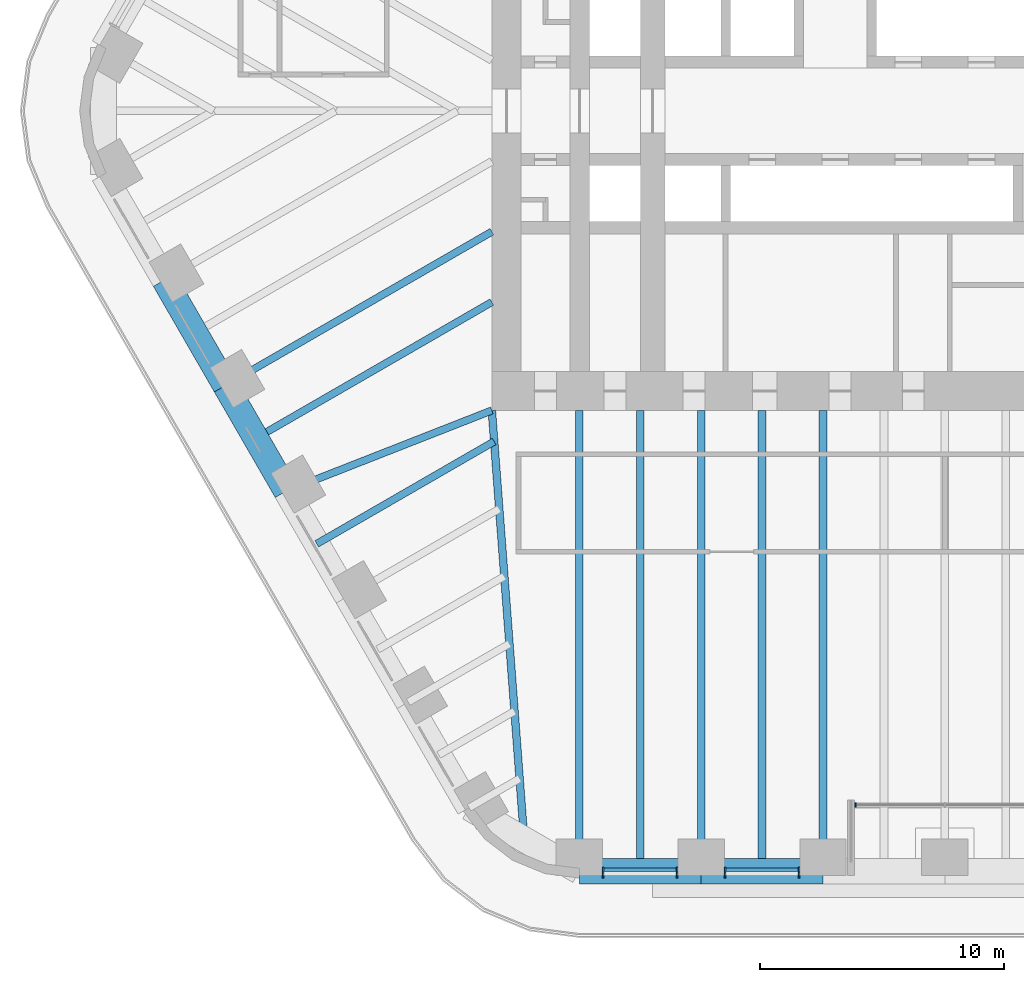
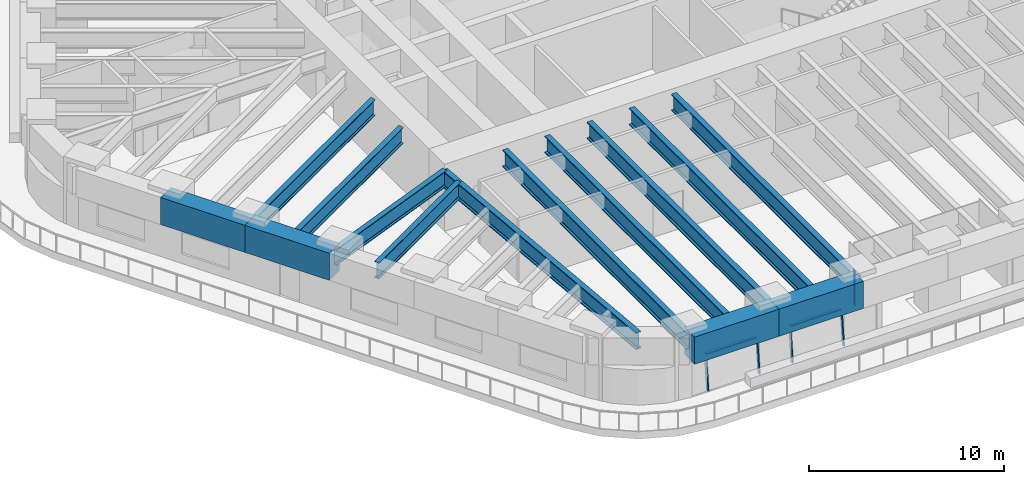
# One storey, part 2 of 19: 14 beams, 7 members, 3 elements without a shape of their own.
"""IFC4 building model written with IfcOpenShell, lengths in metres."""

from ifc_helpers import new_model, si_unit, direction, frame, origin, origin_2d, place, context, subcontext, project, spatial, rectangle, i_section, extrude, material, material_profile, profile_set, type_object, element, aggregate, save


model = new_model("IFC4")

# Units and contexts
model_context = context("Model", 3, precision=1e-05, world=origin(), true_north=direction((0.0, 1.0)))
body_context = subcontext(model_context, "Body", "Model", "MODEL_VIEW")
ifc_project = project(units=[si_unit("LENGTHUNIT", "METRE"), si_unit("AREAUNIT", "SQUARE_METRE"), si_unit("VOLUMEUNIT", "CUBIC_METRE"), si_unit("PLANEANGLEUNIT", "RADIAN"), si_unit("MASSUNIT", "GRAM", prefix="KILO")], contexts=[model_context])

# Site, building, storey
site_placement = place(None, origin())
site = spatial("IfcSite", under=ifc_project, at=site_placement, CompositionType="ELEMENT")
building_placement = place(site_placement, origin())
building = spatial("IfcBuilding", under=site, at=building_placement, Name="Tarfa Lantern Tower", CompositionType="ELEMENT")
storey_placement = place(building_placement, frame((0.0, 0.0, 199.300048828125)))
storey = spatial("IfcBuildingStorey", under=building, at=storey_placement, Name="L45", CompositionType="ELEMENT", Elevation=199.300048828125)

# Curtain wall, members
ifc_material_1 = material(Name="Aluminium framed curtain wall", Category="aluminium")
curtain_wall_type_1 = type_object("IfcCurtainWallType", Name="CW2 CANTED GLAZING MID ZONE 2200", PredefinedType="USERDEFINED", material=ifc_material_1)
curtain_wall_1_placement = place(storey_placement, origin())
curtain_wall_1 = element("IfcCurtainWall", 1, at=curtain_wall_1_placement, inside=storey, type_object=curtain_wall_type_1, Name="CW2 S L45", ObjectType="CURTAIN WALL", PredefinedType="USERDEFINED")
ifc_material_2 = material(Name="Aluminium mullion", Category="aluminium")
ifc_material_profile_1 = material_profile(ifc_material_2, rectangle(XDim=0.06494140625, YDim=0.199951171875, at=origin_2d()), Name="AL MULLION 65x200")
ifc_profile_set_1 = profile_set([ifc_material_profile_1], Name="Aluminium mullion")
member_type_1 = type_object("IfcMemberType", Name="CWM1 MULLION 65x200", PredefinedType="MULLION", material=ifc_profile_set_1)
member_1_placement = place(storey_placement, frame((-14.028564453125, -31.39990234375, 0.0), z_axis=(0.0, 0.112912162136, 0.99360497364), x_axis=(-1.0, 0.0, 0.0)))
member_1 = element("IfcMember", 2, at=member_1_placement, type_object=member_type_1, Name="CW2 mullion 1", PredefinedType="MULLION", context=body_context, shape_type="SweptSolid", body=[
    extrude(rectangle(XDim=0.06494140625, YDim=0.199951171875, at=origin_2d()), origin(), (0.0, 0.0, 1.0), 2.214111328125),
])
member_2_placement = place(storey_placement, frame((-10.989990234375, -31.39990234375, 0.0), z_axis=(0.0, 0.112912162136, 0.99360497364), x_axis=(-1.0, 0.0, 0.0)))
member_2 = element("IfcMember", 3, at=member_2_placement, type_object=member_type_1, Name="CW2 mullion 2", PredefinedType="MULLION", context=body_context, shape_type="SweptSolid", body=[
    extrude(rectangle(XDim=0.06494140625, YDim=0.199951171875, at=origin_2d()), origin(), (0.0, 0.0, 1.0), 2.214111328125),
])

curtain_wall_2_placement = place(storey_placement, origin())
curtain_wall_2 = element("IfcCurtainWall", 4, at=curtain_wall_2_placement, inside=storey, type_object=curtain_wall_type_1, Name="CW2 S L45", ObjectType="CURTAIN WALL", PredefinedType="USERDEFINED")
member_3_placement = place(storey_placement, frame((-9.02490234375, -31.39990234375, 0.0), z_axis=(0.0, 0.112912162136, 0.99360497364), x_axis=(-1.0, 0.0, 0.0)))
member_3 = element("IfcMember", 5, at=member_3_placement, type_object=member_type_1, Name="CW2 mullion 1", PredefinedType="MULLION", context=body_context, shape_type="SweptSolid", body=[
    extrude(rectangle(XDim=0.06494140625, YDim=0.199951171875, at=origin_2d()), origin(), (0.0, 0.0, 1.0), 2.214111328125),
])
member_4_placement = place(storey_placement, frame((-5.986083984375, -31.39990234375, 0.0), z_axis=(0.0, 0.112912162136, 0.99360497364), x_axis=(-1.0, 0.0, 0.0)))
member_4 = element("IfcMember", 6, at=member_4_placement, type_object=member_type_1, Name="CW2 mullion 2", PredefinedType="MULLION", context=body_context, shape_type="SweptSolid", body=[
    extrude(rectangle(XDim=0.06494140625, YDim=0.199951171875, at=origin_2d()), origin(), (0.0, 0.0, 1.0), 2.214111328125),
])

# Curtain wall, member
curtain_wall_type_2 = type_object("IfcCurtainWallType", Name="CW10 LOGGIA GLAZING 2200", PredefinedType="USERDEFINED", material=ifc_material_1)
curtain_wall_3_placement = place(storey_placement, origin())
curtain_wall_3 = element("IfcCurtainWall", 7, at=curtain_wall_3_placement, inside=storey, type_object=curtain_wall_type_2, Name="CW10 SL L45", ObjectType="CURTAIN WALL", PredefinedType="USERDEFINED")
member_5_placement = place(storey_placement, frame((-3.671142578125, -28.5, 0.0), z_axis=(0.0, 0.0, 1.0), x_axis=(1.0, 0.0, 0.0)))
member_5 = element("IfcMember", 8, at=member_5_placement, type_object=member_type_1, Name="CW10 mullion 1", PredefinedType="MULLION", context=body_context, shape_type="SweptSolid", body=[
    extrude(rectangle(XDim=0.06494140625, YDim=0.199951171875, at=origin_2d()), origin(), (0.0, 0.0, 1.0), 2.199951171875),
])
aggregate(curtain_wall_3, [member_5])

# Member
ifc_material_3 = material(Name="Aluminium transom", Category="aluminium")
ifc_material_profile_2 = material_profile(ifc_material_3, rectangle(XDim=0.14990234375, YDim=0.06494140625, at=origin_2d()), Name="AL TRANSOM 150x65")
ifc_profile_set_2 = profile_set([ifc_material_profile_2], Name="Aluminium transom")
member_type_2 = type_object("IfcMemberType", Name="CWT1 TRANSOM 150x65", PredefinedType="USERDEFINED", material=ifc_profile_set_2)
member_6_placement = place(storey_placement, frame((-13.99609375, -31.15380859375, 2.16748046875), z_axis=(1.0, 0.0, 0.0), x_axis=(0.0, 1.0, 0.0)))
member_6 = element("IfcMember", 9, at=member_6_placement, type_object=member_type_2, Name="CW2 transom 1.2", ObjectType="TRANSOM", PredefinedType="USERDEFINED", context=body_context, shape_type="SweptSolid", body=[
    extrude(rectangle(XDim=0.14990234375, YDim=0.06494140625, at=origin_2d()), origin(), (0.0, 0.0, 1.0), 2.9736328125),
])

aggregate(curtain_wall_1, [member_1, member_2, member_6])

member_7_placement = place(storey_placement, frame((-8.992431640625, -31.15380859375, 2.16748046875), z_axis=(1.0, 0.0, 0.0), x_axis=(0.0, 1.0, 0.0)))
member_7 = element("IfcMember", 10, at=member_7_placement, type_object=member_type_2, Name="CW2 transom 1.2", ObjectType="TRANSOM", PredefinedType="USERDEFINED", context=body_context, shape_type="SweptSolid", body=[
    extrude(rectangle(XDim=0.14990234375, YDim=0.06494140625, at=origin_2d()), origin(), (0.0, 0.0, 1.0), 2.9736328125),
])

aggregate(curtain_wall_2, [member_3, member_4, member_7])

# Beams
ifc_material_4 = material(Name="Concrete C80/95", Category="concrete")
ifc_material_profile_3 = material_profile(ifc_material_4, rectangle(XDim=1.050048828125, YDim=1.699951171875, at=origin_2d()), Name="RC 1050x1700")
ifc_profile_set_3 = profile_set([ifc_material_profile_3], Name="Concrete C80/95")
beam_type_1 = type_object("IfcBeamType", Name="RB2 RC 1050x1700", PredefinedType="BEAM", material=ifc_profile_set_3)
for number, where, z_axis, x_axis, name in (
    (11, (-32.041015625, -6.943359375, 3.050048828125), (0.500022324899, -0.866012514114, 0.0), (0.866012514114, 0.500022324899, 0.0), "Edge beam SW1"),
    (12, (-29.5390625, -11.276611328125, 3.050048828125), (0.499964603504, -0.866045838996, 0.0), (0.866045838996, 0.499964603504, 0.0), "Edge beam SW2"),
    (13, (-15.010986328125, -31.219970703125, 3.050048828125), (1.0, 0.0, 0.0), (0.0, 1.0, 0.0), "Edge beam S0"),
    (14, (-10.00732421875, -31.219970703125, 3.050048828125), (1.0, 0.0, 0.0), (0.0, 1.0, 0.0), "Edge beam S1"),
):
    element("IfcBeam", number, at=place(storey_placement, frame(where, z_axis=z_axis, x_axis=x_axis)), inside=storey, type_object=beam_type_1, Name=name, PredefinedType="BEAM", context=body_context, shape_type="SweptSolid", body=[
        extrude(rectangle(XDim=1.050048828125, YDim=1.699951171875, at=origin_2d()), origin(), (0.0, 0.0, 1.0), 5.003662109375),
    ])
ifc_material_5 = material(Name="Steel S460M", Category="steel")
ifc_material_profile_4 = material_profile(ifc_material_5, i_section(OverallWidth=0.302001953125, OverallDepth=1.008056640625, WebThickness=0.02099609375, FlangeThickness=0.0400390625, FilletRadius=0.030029296875, at=origin_2d()), Name="UB1016x305x349")
ifc_profile_set_4 = profile_set([ifc_material_profile_4], Name="Steel S460M")
beam_type_2 = type_object("IfcBeamType", Name="UB1016x305x349", PredefinedType="BEAM", material=ifc_profile_set_4)
beam_1_placement = place(storey_placement, frame((-29.5390625, -11.276611328125, 3.39599609375), z_axis=(0.866023362995, 0.500003534735, 0.0), x_axis=(-0.500003534735, 0.866023362995, 0.0)))
element("IfcBeam", 15, at=beam_1_placement, inside=storey, type_object=beam_type_2, Name="Floor beam SW2", PredefinedType="BEAM", context=body_context, shape_type="SweptSolid", body=[
    extrude(i_section(OverallWidth=0.302001953125, OverallDepth=1.008056640625, WebThickness=0.02099609375, FlangeThickness=0.0400390625, FilletRadius=0.030029296875, at=origin_2d()), origin(), (0.0, 0.0, 1.0), 12.63134765625),
])
beam_2_placement = place(storey_placement, frame((-27.037353515625, -15.610107421875, 3.39599609375), z_axis=(0.930923282782, 0.365214788274, 0.0), x_axis=(-0.365214788274, 0.930923282782, 0.0)))
element("IfcBeam", 16, at=beam_2_placement, inside=storey, type_object=beam_type_2, Name="Floor beam SW3", PredefinedType="BEAM", context=body_context, shape_type="SweptSolid", body=[
    extrude(i_section(OverallWidth=0.302001953125, OverallDepth=1.008056640625, WebThickness=0.02099609375, FlangeThickness=0.0400390625, FilletRadius=0.030029296875, at=origin_2d()), origin(), (0.0, 0.0, 1.0), 9.063232421875),
])
beam_3_placement = place(storey_placement, frame((-28.288330078125, -13.443359375, 3.39599609375), z_axis=(0.866025316205, 0.500000151692, 0.0), x_axis=(-0.500000151692, 0.866025316205, 0.0)))
element("IfcBeam", 17, at=beam_3_placement, inside=storey, type_object=beam_type_2, Name="Floor beam SW2M", PredefinedType="BEAM", context=body_context, shape_type="SweptSolid", body=[
    extrude(i_section(OverallWidth=0.302001953125, OverallDepth=1.008056640625, WebThickness=0.02099609375, FlangeThickness=0.0400390625, FilletRadius=0.030029296875, at=origin_2d()), origin(), (0.0, 0.0, 1.0), 11.18701171875),
])
beam_4_placement = place(storey_placement, frame((-25.786376953125, -17.776611328125, 3.39599609375), z_axis=(0.86602796634, 0.499995561497, 0.0), x_axis=(-0.499995561497, 0.86602796634, 0.0)))
element("IfcBeam", 18, at=beam_4_placement, inside=storey, type_object=beam_type_2, Name="Floor beam SW3M", PredefinedType="BEAM", context=body_context, shape_type="SweptSolid", body=[
    extrude(i_section(OverallWidth=0.302001953125, OverallDepth=1.008056640625, WebThickness=0.02099609375, FlangeThickness=0.0400390625, FilletRadius=0.030029296875, at=origin_2d()), origin(), (0.0, 0.0, 1.0), 8.40869140625),
])
ifc_material_profile_5 = material_profile(ifc_material_5, i_section(OverallWidth=0.314208984375, OverallDepth=1.055908203125, WebThickness=0.035888671875, FlangeThickness=0.06396484375, FilletRadius=0.030029296875, at=origin_2d()), Name="UB1016x305x584")
ifc_profile_set_5 = profile_set([ifc_material_profile_5], Name="Steel S460M")
beam_type_3 = type_object("IfcBeamType", Name="UB1016x305x584", PredefinedType="BEAM", material=ifc_profile_set_5)
beam_5_placement = place(storey_placement, frame((-18.60009765625, -12.300048828125, 3.3720703125), z_axis=(0.075211516041, -0.99716760269, 0.0), x_axis=(0.99716760269, 0.075211516041, 0.0)))
element("IfcBeam", 19, at=beam_5_placement, inside=storey, type_object=beam_type_3, Name="Hip girder SW", PredefinedType="BEAM", context=body_context, shape_type="SweptSolid", body=[
    extrude(i_section(OverallWidth=0.314208984375, OverallDepth=1.055908203125, WebThickness=0.035888671875, FlangeThickness=0.06396484375, FilletRadius=0.030029296875, at=origin_2d()), origin(), (0.0, 0.0, 1.0), 17.6650390625),
])
for number, where, z_axis, x_axis, name in (
    (20, (-15.010986328125, -31.219970703125, 3.3720703125), (0.0, 1.0, 0.0), (-1.0, 0.0, 0.0), "Floor beam S0"),
    (21, (-10.00732421875, -31.219970703125, 3.3720703125), (0.0, 1.0, 0.0), (-1.0, 0.0, 0.0), "Floor beam S1"),
    (22, (-5.003662109375, -31.219970703125, 3.3720703125), (0.0, 1.0, 0.0), (-1.0, 0.0, 0.0), "Floor beam S2"),
    (23, (-12.50927734375, -31.219970703125, 3.3720703125), (0.0, 1.0, 0.0), (-1.0, 0.0, 0.0), "Floor beam S0M"),
    (24, (-7.505615234375, -31.219970703125, 3.3720703125), (0.0, 1.0, 0.0), (-1.0, 0.0, 0.0), "Floor beam S1M"),
):
    element("IfcBeam", number, at=place(storey_placement, frame(where, z_axis=z_axis, x_axis=x_axis)), inside=storey, type_object=beam_type_3, Name=name, PredefinedType="BEAM", context=body_context, shape_type="SweptSolid", body=[
        extrude(i_section(OverallWidth=0.314208984375, OverallDepth=1.055908203125, WebThickness=0.035888671875, FlangeThickness=0.06396484375, FilletRadius=0.030029296875, at=origin_2d()), origin(), (0.0, 0.0, 1.0), 18.919921875),
    ])

save(model, "model.ifc")
